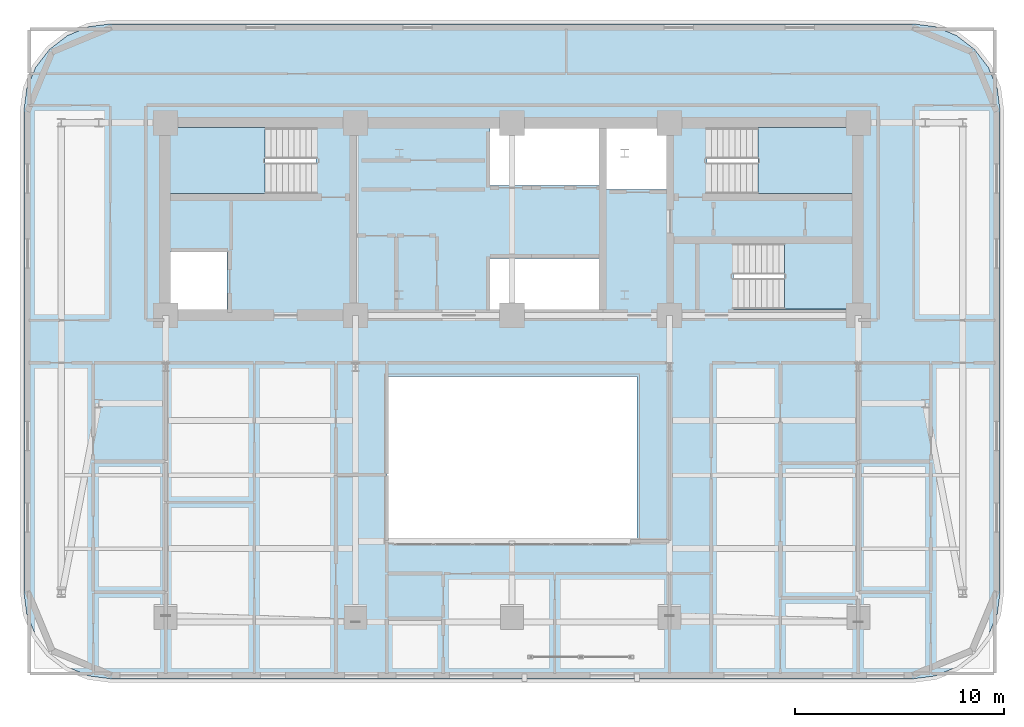
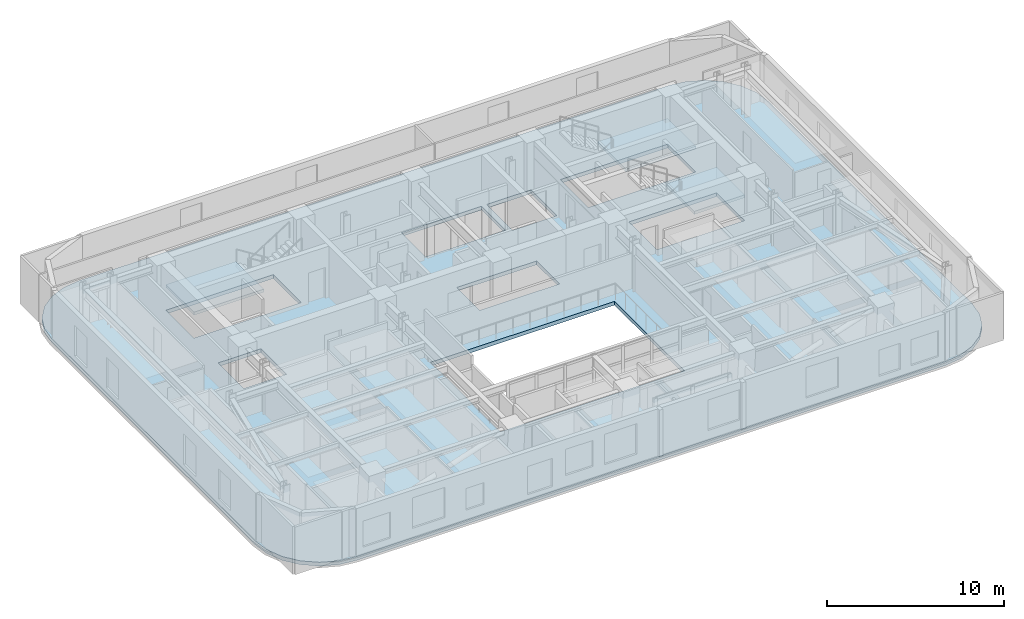
# One storey, part 4 of 13: 4 slabs, 3 elements without a shape of their own.
"""IFC4 building model written with IfcOpenShell, lengths in metres."""

from ifc_helpers import new_model, si_unit, direction, frame, origin, place, context, subcontext, project, spatial, polyline, outline, extrude, material, layer, layer_set, type_object, element, aggregate, save


model = new_model("IFC4")

# Units and contexts
model_context = context("Model", 3, precision=1e-05, world=origin(), true_north=direction((0.0, 1.0)))
body_context = subcontext(model_context, "Body", "Model", "MODEL_VIEW")
ifc_project = project(units=[si_unit("LENGTHUNIT", "METRE"), si_unit("AREAUNIT", "SQUARE_METRE"), si_unit("VOLUMEUNIT", "CUBIC_METRE"), si_unit("PLANEANGLEUNIT", "RADIAN"), si_unit("MASSUNIT", "GRAM", prefix="KILO")], contexts=[model_context])

# Site, building, storey
site_placement = place(None, origin())
site = spatial("IfcSite", under=ifc_project, at=site_placement, CompositionType="ELEMENT")
building_placement = place(site_placement, origin())
building = spatial("IfcBuilding", under=site, at=building_placement, Name="Zarnavel Station Tower", CompositionType="ELEMENT")
storey_placement = place(building_placement, frame((0.0, 0.0, 141.25)))
storey = spatial("IfcBuildingStorey", under=building, at=storey_placement, Name="L38", CompositionType="ELEMENT", Elevation=141.25)

# Slab
ifc_material_1 = material(Name="Concrete C45/55", Category="concrete")
ifc_layer_1 = layer(ifc_material_1, 0.260009765625)
ifc_layer_set_1 = layer_set([ifc_layer_1], Name="SL_FLR_260")
slab_type_1 = type_object("IfcSlabType", Name="SL_FLR_260", PredefinedType="FLOOR", material=ifc_layer_set_1)
slab_1_placement = place(storey_placement, frame((0.0, 0.0, -0.260009765625)))
element("IfcSlab", 1, at=slab_1_placement, inside=storey, type_object=slab_type_1, Name="L38 Structural Floor Slab", PredefinedType="FLOOR", context=body_context, shape_type="SweptSolid", body=[
    extrude(outline(polyline([(48.0, 10.39990234375), (49.0869140625, 10.543212890625), (50.10009765625, 10.962646484375), (50.9697265625, 11.630126953125), (51.63720703125, 12.5), (52.056884765625, 13.512939453125), (52.199951171875, 14.60009765625), (52.199951171875, 37.60009765625), (52.056884765625, 38.68701171875), (51.63720703125, 39.699951171875), (50.9697265625, 40.56982421875), (50.10009765625, 41.2373046875), (49.0869140625, 41.656982421875), (48.0, 41.800048828125), (9.60009765625, 41.800048828125), (8.512939453125, 41.656982421875), (7.5, 41.2373046875), (6.630126953125, 40.56982421875), (5.962646484375, 39.699951171875), (5.543212890625, 38.68701171875), (5.39990234375, 37.60009765625), (5.39990234375, 14.60009765625), (5.543212890625, 13.512939453125), (5.962646484375, 12.5), (6.630126953125, 11.630126953125), (7.5, 10.962646484375), (8.512939453125, 10.543212890625), (9.60009765625, 10.39990234375), (48.0, 10.39990234375)]), holes=[polyline([(12.39990234375, 33.659912109375), (19.409912109375, 33.659912109375), (19.409912109375, 36.820068359375), (12.39990234375, 36.820068359375), (12.39990234375, 33.659912109375)]), polyline([(38.14990234375, 33.659912109375), (45.159912109375, 33.659912109375), (45.159912109375, 36.820068359375), (38.14990234375, 36.820068359375), (38.14990234375, 33.659912109375)]), polyline([(39.419921875, 28.1201171875), (45.14990234375, 28.1201171875), (45.14990234375, 31.280029296875), (39.419921875, 31.280029296875), (39.419921875, 28.1201171875)]), polyline([(12.35009765625, 27.949951171875), (15.14990234375, 27.949951171875), (15.14990234375, 30.85009765625), (12.35009765625, 30.85009765625), (12.35009765625, 27.949951171875)]), polyline([(33.320068359375, 33.85009765625), (36.2099609375, 33.85009765625), (36.2099609375, 36.780029296875), (33.320068359375, 36.780029296875), (33.320068359375, 33.85009765625)]), polyline([(27.75, 34.050048828125), (32.97998046875, 34.050048828125), (32.97998046875, 36.780029296875), (27.75, 36.780029296875), (27.75, 34.050048828125)]), polyline([(27.75, 27.949951171875), (32.97998046875, 27.949951171875), (32.97998046875, 30.550048828125), (27.75, 30.550048828125), (27.75, 27.949951171875)]), polyline([(22.800048828125, 17.0), (34.800048828125, 17.0), (34.800048828125, 24.89990234375), (22.800048828125, 24.89990234375), (22.800048828125, 17.0)])]), origin(), (0.0, 0.0, 1.0), 0.260009765625),
])

# Stair, slab
ifc_material_2 = material(Name="Concrete C45/55", Category="concrete")
stair_type = type_object("IfcStairType", Name="ST_CORE_150", PredefinedType="HALF_TURN_STAIR", material=ifc_material_2)
stair_1_placement = place(storey_placement, origin())
stair_1 = element("IfcStair", 2, at=stair_1_placement, inside=storey, type_object=stair_type, Name="L38 Core Exit Stair ST1", PredefinedType="HALF_TURN_STAIR")
ifc_material_3 = material(Name="Concrete C45/55", Category="concrete")
ifc_layer_2 = layer(ifc_material_3, 0.199951171875)
ifc_layer_set_2 = layer_set([ifc_layer_2], Name="SL_STAIR_LAND_200")
slab_type_2 = type_object("IfcSlabType", Name="SL_STAIR_LAND_200", PredefinedType="LANDING", material=ifc_layer_set_2)
slab_2_placement = place(storey_placement, frame((0.0, 0.0, 1.574951171875)))
slab_2 = element("IfcSlab", 3, at=slab_2_placement, type_object=slab_type_2, Name="ST1 landing 1", PredefinedType="LANDING", context=body_context, shape_type="SweptSolid", body=[
    extrude(outline(polyline([(16.9599609375, 36.820068359375), (12.39990234375, 36.820068359375), (12.39990234375, 33.659912109375), (16.9599609375, 33.659912109375), (16.9599609375, 36.820068359375)])), origin(), (0.0, 0.0, 1.0), 0.199951171875),
])
aggregate(stair_1, [slab_2])

stair_2_placement = place(storey_placement, origin())
stair_2 = element("IfcStair", 4, at=stair_2_placement, inside=storey, type_object=stair_type, Name="L38 Core Exit Stair ST2", PredefinedType="HALF_TURN_STAIR")
slab_3_placement = place(storey_placement, frame((0.0, 0.0, 1.574951171875)))
slab_3 = element("IfcSlab", 5, at=slab_3_placement, type_object=slab_type_2, Name="ST2 landing 1", PredefinedType="LANDING", context=body_context, shape_type="SweptSolid", body=[
    extrude(outline(polyline([(40.60009765625, 33.659912109375), (45.159912109375, 33.659912109375), (45.159912109375, 36.820068359375), (40.60009765625, 36.820068359375), (40.60009765625, 33.659912109375)])), origin(), (0.0, 0.0, 1.0), 0.199951171875),
])
aggregate(stair_2, [slab_3])

stair_3_placement = place(storey_placement, origin())
stair_3 = element("IfcStair", 6, at=stair_3_placement, inside=storey, type_object=stair_type, Name="L38 Core Exit Stair ST3", PredefinedType="HALF_TURN_STAIR")
slab_4_placement = place(storey_placement, frame((0.0, 0.0, 1.574951171875)))
slab_4 = element("IfcSlab", 7, at=slab_4_placement, type_object=slab_type_2, Name="ST3 landing 1", PredefinedType="LANDING", context=body_context, shape_type="SweptSolid", body=[
    extrude(outline(polyline([(41.8701171875, 28.1201171875), (45.14990234375, 28.1201171875), (45.14990234375, 31.280029296875), (41.8701171875, 31.280029296875), (41.8701171875, 28.1201171875)])), origin(), (0.0, 0.0, 1.0), 0.199951171875),
])
aggregate(stair_3, [slab_4])

save(model, "model.ifc")
